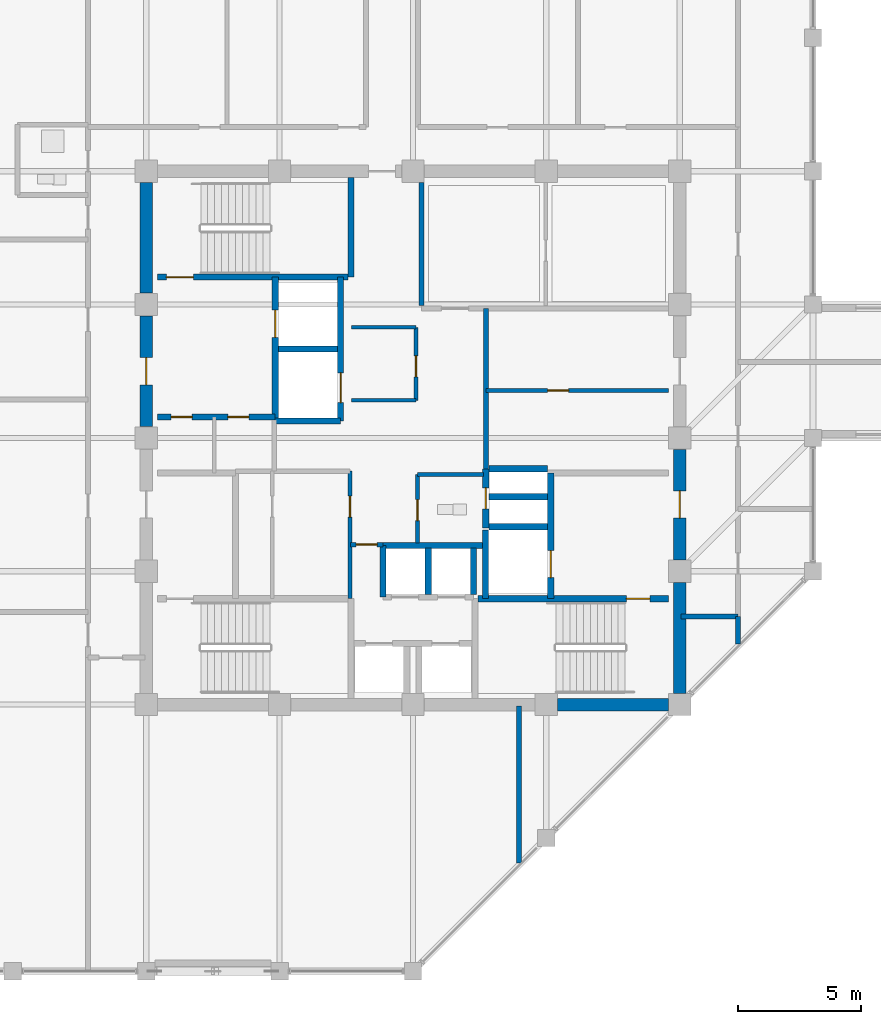
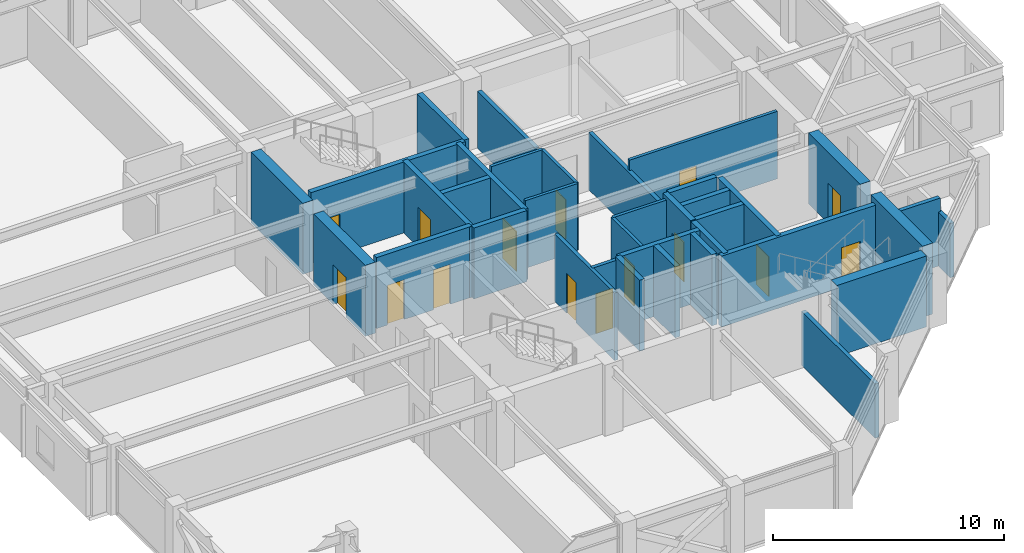
# One storey, part 25 of 30: 36 walls, 15 doors, 15 openings.
"""IFC4 building model written with IfcOpenShell, lengths in metres."""

import ifcopenshell
import ifcopenshell.guid

model = None  # the IFC model being written
_history = None  # IfcOwnerHistory: only IFC2X3 demands one
_inside = {}  # id of a spatial element -> (the spatial element, [elements in it])
_under = {}  # id of a project, library or spatial element -> (it, [spatial elements below it])
_declared = {}  # id of a project -> (the project, [libraries it declares])
_typed = {}  # id of a type object -> (the type object, [elements of that type])
_made_of = {}  # id of a material, layer set ... -> (it, [elements and type objects made of it])


def new_model(schema):
    """Start an empty IFC model of exactly this schema.

    Asked for "IFC4X3", IfcOpenShell would pick the latest addendum, in which some entities
    have other attributes; the version numbers below select the first issue.
    IFC2X3 requires an IfcOwnerHistory on every rooted entity: one is made here for all.
    """
    global model, _history
    if schema == "IFC4X3":
        model = ifcopenshell.file(schema_version=(4, 3, 0, 0))
    else:
        model = ifcopenshell.file(schema=schema)
    _inside.clear()
    _under.clear()
    _declared.clear()
    _typed.clear()
    _made_of.clear()
    _history = None
    if model.schema == "IFC2X3":
        org = make("IfcOrganization", Name="unknown")
        user = make(
            "IfcPersonAndOrganization",
            ThePerson=make("IfcPerson", FamilyName="unknown"),
            TheOrganization=org,
        )
        app = make(
            "IfcApplication",
            ApplicationDeveloper=org,
            Version="unknown",
            ApplicationFullName="unknown",
            ApplicationIdentifier="unknown",
        )
        _history = make(
            "IfcOwnerHistory",
            OwningUser=user,
            OwningApplication=app,
            ChangeAction="ADDED",
            CreationDate=0,
        )
    return model


def make(cls, **values):
    """One entity of the class cls with the attributes given. An attribute that is None is left unset."""
    return model.create_entity(
        cls, **{name: value for name, value in values.items() if value is not None}
    )


def rooted(cls, **values):
    """An entity with a GlobalId (a new one), such as an element, a storey or a relation."""
    return make(cls, GlobalId=ifcopenshell.guid.new(), OwnerHistory=_history, **values)


def si_unit(unit_type, name, prefix=None):
    """IfcSIUnit, for example si_unit("LENGTHUNIT", "METRE", prefix="MILLI")."""
    return make("IfcSIUnit", UnitType=unit_type, Prefix=prefix, Name=name)


def assignment(units):
    """IfcUnitAssignment: the units of a project."""
    return None if units is None else make("IfcUnitAssignment", Units=units)


def point(xyz):
    """IfcCartesianPoint."""
    return None if xyz is None else make("IfcCartesianPoint", Coordinates=xyz)


def direction(xyz):
    """IfcDirection."""
    return None if xyz is None else make("IfcDirection", DirectionRatios=xyz)


def frame(location, z_axis=None, x_axis=None):
    """IfcAxis2Placement3D, a coordinate frame: its origin and axes. An axis left out is left unset."""
    return make(
        "IfcAxis2Placement3D",
        Location=point(location),
        Axis=direction(z_axis),
        RefDirection=direction(x_axis),
    )


def frame_2d(location, x_axis=None):
    """IfcAxis2Placement2D, a coordinate frame in the plane: its origin and x axis."""
    return make(
        "IfcAxis2Placement2D", Location=point(location), RefDirection=direction(x_axis)
    )


def origin():
    """The frame at (0, 0, 0) with its axes left unset."""
    return frame((0.0, 0.0, 0.0))


def place(relative_to, where):
    """IfcLocalPlacement: puts the frame where relative to a parent placement (None: the world)."""
    return make(
        "IfcLocalPlacement", PlacementRelTo=relative_to, RelativePlacement=where
    )


def context(
    kind, dimensions, precision=None, world=None, true_north=None, identifier=None
):
    """IfcGeometricRepresentationContext, for example the 3D "Model" context."""
    return make(
        "IfcGeometricRepresentationContext",
        ContextIdentifier=identifier,
        ContextType=kind,
        CoordinateSpaceDimension=dimensions,
        Precision=precision,
        WorldCoordinateSystem=world,
        TrueNorth=true_north,
    )


def subcontext(parent, identifier, kind, view, scale=None):
    """IfcGeometricRepresentationSubContext, for example "Body" below "Model"."""
    return make(
        "IfcGeometricRepresentationSubContext",
        ContextIdentifier=identifier,
        ContextType=kind,
        ParentContext=parent,
        TargetScale=scale,
        TargetView=view,
    )


def project(units=None, contexts=None):
    """IfcProject with its units and contexts."""
    return rooted(
        "IfcProject",
        Name="project",
        RepresentationContexts=contexts,
        UnitsInContext=assignment(units),
    )


def spatial(cls, under=None, at=None, **own):
    """A site, building, storey or space (cls), placed at a placement, below another one or the project."""
    s = rooted(cls, ObjectPlacement=at, **own)
    if under is not None:
        _under.setdefault(under.id(), (under, []))[1].append(s)
    return s


def profile(cls, at=None, kind="AREA", **sizes):
    """A parametric profile (cls). Its sizes go by their IFC names, for example OverallWidth=200.0."""
    return make(cls, ProfileType=kind, Position=at, **sizes)


def rectangle(**sizes):
    """IfcRectangleProfileDef."""
    return profile("IfcRectangleProfileDef", **sizes)


def extrude(swept, where, along, depth):
    """IfcExtrudedAreaSolid: the profile swept, set in the frame where, extruded along a direction by depth."""
    return make(
        "IfcExtrudedAreaSolid",
        SweptArea=swept,
        Position=where,
        ExtrudedDirection=direction(along),
        Depth=depth,
    )


def shape(context_of_items, identifier, shape_type, items):
    """IfcShapeRepresentation: the items that make up one representation, for example the "Body"."""
    return make(
        "IfcShapeRepresentation",
        ContextOfItems=context_of_items,
        RepresentationIdentifier=identifier,
        RepresentationType=shape_type,
        Items=items,
    )


def material(Name=None, Category=None):
    """IfcMaterial."""
    return make("IfcMaterial", Name=Name, Category=Category)


def layer(
    of_material, thickness, ventilated=None, Name=None, Category=None, Priority=None
):
    """IfcMaterialLayer: one layer of a wall or slab, of a material (None: an air gap)."""
    return make(
        "IfcMaterialLayer",
        Material=of_material,
        LayerThickness=thickness,
        IsVentilated=ventilated,
        Name=Name,
        Category=Category,
        Priority=Priority,
    )


def layer_set(layers, Name=None):
    """IfcMaterialLayerSet."""
    return make("IfcMaterialLayerSet", MaterialLayers=layers, LayerSetName=Name)


def made_of(thing, what):
    """Note that an element or type object is made of a material, layer set ...; save() writes the relation."""
    if what is not None:
        _made_of.setdefault(what.id(), (what, []))[1].append(thing)
    return thing


def type_object(cls, material=None, **own):
    """A type object (cls), such as IfcWallType, which elements share."""
    return made_of(rooted(cls, **own), material)


def element(
    cls,
    number,
    at=None,
    inside=None,
    cuts=None,
    type_object=None,
    material=None,
    context=None,
    identifier="Body",
    shape_type=None,
    held_by="IfcProductDefinitionShape",
    body=None,
    shapes=None,
    **own,
):
    """One element of the class cls, such as IfcWall. Its Tag is "e" and its number.

    at: its placement. inside: the storey or other place that contains it. cuts: it is an
    opening in that element (IfcRelVoidsElement). A single representation is given by context,
    identifier, shape_type and body (its items); several are given by shapes. held_by: the class
    of the entity that holds the representations. save() writes the other relations.
    """
    e = rooted(cls, Tag="e%d" % number, ObjectPlacement=at, **own)
    if body is not None:
        shapes = [shape(context, identifier, shape_type, body)]
    if shapes is not None:
        e.Representation = make(held_by, Representations=shapes)
    if inside is not None:
        _inside.setdefault(inside.id(), (inside, []))[1].append(e)
    if cuts is not None:
        rooted(
            "IfcRelVoidsElement", RelatingBuildingElement=cuts, RelatedOpeningElement=e
        )
    if type_object is not None:
        _typed.setdefault(type_object.id(), (type_object, []))[1].append(e)
    return made_of(e, material)


def fill(opening, filler):
    """IfcRelFillsElement: the door or window that sits in an opening."""
    return rooted(
        "IfcRelFillsElement",
        RelatingOpeningElement=opening,
        RelatedBuildingElement=filler,
    )


def aggregate(whole, parts):
    """IfcRelAggregates: a whole, such as a stair, and the parts it consists of."""
    return rooted("IfcRelAggregates", RelatingObject=whole, RelatedObjects=parts)


def save(model, path):
    """Write the relations noted so far, then the file.

    IfcRelAggregates (storeys below a building ...), IfcRelContainedInSpatialStructure (elements
    in a storey), IfcRelDefinesByType, IfcRelAssociatesMaterial and IfcRelDeclares: one each for
    every whole, place, type object, material and project.
    """
    for whole, parts in _under.values():
        aggregate(whole, parts)
    for where, things in _inside.values():
        rooted(
            "IfcRelContainedInSpatialStructure",
            RelatedElements=things,
            RelatingStructure=where,
        )
    for kind, things in _typed.values():
        rooted("IfcRelDefinesByType", RelatedObjects=things, RelatingType=kind)
    for what, things in _made_of.values():
        rooted("IfcRelAssociatesMaterial", RelatedObjects=things, RelatingMaterial=what)
    for by, libraries in _declared.values():
        rooted("IfcRelDeclares", RelatingContext=by, RelatedDefinitions=libraries)
    model.write(path)


model = new_model("IFC4")

# Units and contexts
model_context = context("Model", 3, precision=1e-05, world=origin(), true_north=direction((0.0, 1.0)))
body_context = subcontext(model_context, "Body", "Model", "MODEL_VIEW")
ifc_project = project(units=[si_unit("LENGTHUNIT", "METRE"), si_unit("AREAUNIT", "SQUARE_METRE"), si_unit("VOLUMEUNIT", "CUBIC_METRE"), si_unit("PLANEANGLEUNIT", "RADIAN"), si_unit("MASSUNIT", "GRAM", prefix="KILO")], contexts=[model_context])

# Site, building, storey
site_placement = place(None, origin())
site = spatial("IfcSite", under=ifc_project, at=site_placement, CompositionType="ELEMENT")
building_placement = place(site_placement, origin())
building = spatial("IfcBuilding", under=site, at=building_placement, Name="Surkhivell Harbour Commons", CompositionType="ELEMENT")
storey_placement = place(building_placement, frame((0.0, 0.0, 303.75)))
storey = spatial("IfcBuildingStorey", under=building, at=storey_placement, Name="L79", CompositionType="ELEMENT", Elevation=303.75)

# Wall
ifc_material_1 = material(Name="Concrete C50/60", Category="concrete")
ifc_layer_1 = layer(ifc_material_1, 0.5)
ifc_layer_set_1 = layer_set([ifc_layer_1], Name="Concrete C50/60")
wall_type_1 = type_object("IfcWallType", Name="WAL-CORE-500", PredefinedType="SHEAR", material=ifc_layer_set_1)
wall_1_placement = place(storey_placement, frame((10.800048828125, -10.340087890625, 0.0), z_axis=(0.0, 0.0, 1.0), x_axis=(0.0, 1.0, 0.0)))
element("IfcWall", 1, at=wall_1_placement, inside=storey, type_object=wall_type_1, Name="L79 Core Shear Wall East 1", PredefinedType="SHEAR", context=body_context, shape_type="SweptSolid", body=[
    extrude(rectangle(XDim=4.47998046875, YDim=0.5, at=frame_2d((2.239990234375, 0.0))), origin(), (0.0, 0.0, 1.0), 3.75),
])

# Wall, opening, door
wall_2_placement = place(storey_placement, frame((10.800048828125, -4.93994140625, 0.0), z_axis=(0.0, 0.0, 1.0), x_axis=(0.0, 1.0, 0.0)))
wall_2 = element("IfcWall", 2, at=wall_2_placement, inside=storey, type_object=wall_type_1, Name="L79 Core Shear Wall East 2", PredefinedType="SHEAR", context=body_context, shape_type="SweptSolid", body=[
    extrude(rectangle(XDim=4.47998046875, YDim=0.5, at=frame_2d((2.239990234375, 0.0))), origin(), (0.0, 0.0, 1.0), 3.75),
])
opening_1_placement = place(wall_2_placement, frame((1.68994140625, 0.0, 0.0)))
opening_1 = element("IfcOpeningElement", 3, at=opening_1_placement, cuts=wall_2, Name="Opening ID-1", PredefinedType="OPENING", context=body_context, shape_type="SweptSolid", body=[
    extrude(rectangle(XDim=1.10009765625, YDim=2.10009765625, at=frame_2d((0.550048828125, 1.050048828125))), frame((0.0, 0.260009765625, 0.0), z_axis=(0.0, -1.0, 0.0), x_axis=(1.0, 0.0, 0.0)), (0.0, 0.0, 1.0), 0.52001953125),
])
ifc_material_2 = material(Name="Hardwood-veneered fire-rated door leaf", Category="wood")
door_type_1 = type_object("IfcDoorType", Name="DOR-FD120-1100", OperationType="NOTDEFINED", PredefinedType="DOOR", material=ifc_material_2)
door_1_placement = place(opening_1_placement, origin())
door_1 = element("IfcDoor", 4, at=door_1_placement, inside=storey, type_object=door_type_1, Name="L79 Firefighting Lobby 2 Corridor Door", OperationType="SINGLE_SWING_RIGHT", OverallHeight=2.10009765625, OverallWidth=1.10009765625, PredefinedType="DOOR", context=body_context, shape_type="SweptSolid", body=[
    extrude(rectangle(XDim=1.10009765625, YDim=2.10009765625, at=frame_2d((0.550048828125, 1.050048828125))), frame((0.0, 0.02490234375, 0.0), z_axis=(0.0, -1.0, 0.0), x_axis=(1.0, 0.0, 0.0)), (0.0, 0.0, 1.0), 0.050048828125),
])
fill(opening_1, door_1)

wall_3_placement = place(storey_placement, frame((-10.800048828125, 0.4599609375, 0.0), z_axis=(0.0, 0.0, 1.0), x_axis=(0.0, 1.0, 0.0)))
wall_3 = element("IfcWall", 5, at=wall_3_placement, inside=storey, type_object=wall_type_1, Name="L79 Core Shear Wall West 3", PredefinedType="SHEAR", context=body_context, shape_type="SweptSolid", body=[
    extrude(rectangle(XDim=4.47998046875, YDim=0.5, at=frame_2d((2.239990234375, 0.0))), origin(), (0.0, 0.0, 1.0), 3.75),
])
opening_2_placement = place(wall_3_placement, frame((1.68994140625, 0.0, 0.0)))
opening_2 = element("IfcOpeningElement", 6, at=opening_2_placement, cuts=wall_3, Name="Opening ID-1", PredefinedType="OPENING", context=body_context, shape_type="SweptSolid", body=[
    extrude(rectangle(XDim=1.10009765625, YDim=2.10009765625, at=frame_2d((0.550048828125, 1.050048828125))), frame((0.0, 0.260009765625, 0.0), z_axis=(0.0, -1.0, 0.0), x_axis=(1.0, 0.0, 0.0)), (0.0, 0.0, 1.0), 0.52001953125),
])
door_2_placement = place(opening_2_placement, origin())
door_2 = element("IfcDoor", 7, at=door_2_placement, inside=storey, type_object=door_type_1, Name="L79 Firefighting Lobby 1 Corridor Door", OperationType="SINGLE_SWING_LEFT", OverallHeight=2.10009765625, OverallWidth=1.10009765625, PredefinedType="DOOR", context=body_context, shape_type="SweptSolid", body=[
    extrude(rectangle(XDim=1.10009765625, YDim=2.10009765625, at=frame_2d((0.550048828125, 1.050048828125))), frame((0.0, 0.02490234375, 0.0), z_axis=(0.0, -1.0, 0.0), x_axis=(1.0, 0.0, 0.0)), (0.0, 0.0, 1.0), 0.050048828125),
])
fill(opening_2, door_2)

# Walls
for number, where, z_axis, x_axis, name in (
    (8, (5.860107421875, -10.800048828125, 0.0), (0.0, 0.0, 1.0), (1.0, 0.0, 0.0), "L79 Core Shear Wall South 4"),
    (9, (-10.800048828125, 5.860107421875, 0.0), (0.0, 0.0, 1.0), (0.0, 1.0, 0.0), "L79 Core Shear Wall West 4"),
):
    element("IfcWall", number, at=place(storey_placement, frame(where, z_axis=z_axis, x_axis=x_axis)), inside=storey, type_object=wall_type_1, Name=name, PredefinedType="SHEAR", context=body_context, shape_type="SweptSolid", body=[
        extrude(rectangle(XDim=4.47998046875, YDim=0.5, at=frame_2d((2.239990234375, 0.0))), origin(), (0.0, 0.0, 1.0), 3.75),
    ])
ifc_material_3 = material(Name="Twin-stud acoustic fireboard partition", Category="other")
ifc_layer_2 = layer(ifc_material_3, 0.14990234375)
ifc_layer_set_2 = layer_set([ifc_layer_2], Name="Twin-stud acoustic fireboard partition")
wall_type_2 = type_object("IfcWallType", Name="WAL-INT-150", PredefinedType="PARTITIONING", material=ifc_layer_set_2)
wall_4_placement = place(storey_placement, frame((0.179931640625, -1.47998046875, 0.0), z_axis=(0.0, 0.0, 1.0), x_axis=(1.0, 0.0, 0.0)))
element("IfcWall", 10, at=wall_4_placement, inside=storey, type_object=wall_type_2, Name="L79 Core Accessible WC North Wall", PredefinedType="PARTITIONING", context=body_context, shape_type="SweptSolid", body=[
    extrude(rectangle(XDim=2.670166015625, YDim=0.14990234375, at=frame_2d((1.3349609375, 0.0))), origin(), (0.0, 0.0, 1.0), 3.570068359375),
])

# Wall, opening, door
wall_5_placement = place(storey_placement, frame((0.179931640625, -4.25, 0.0), z_axis=(0.0, 0.0, 1.0), x_axis=(0.0, 1.0, 0.0)))
wall_5 = element("IfcWall", 11, at=wall_5_placement, inside=storey, type_object=wall_type_2, Name="L79 Core Accessible WC West Wall", PredefinedType="PARTITIONING", context=body_context, shape_type="SweptSolid", body=[
    extrude(rectangle(XDim=2.77001953125, YDim=0.14990234375, at=frame_2d((1.385009765625, 0.0))), origin(), (0.0, 0.0, 1.0), 3.570068359375),
])
opening_3_placement = place(wall_5_placement, frame((0.89990234375, 0.0, 0.0)))
opening_3 = element("IfcOpeningElement", 12, at=opening_3_placement, cuts=wall_5, Name="Opening ID-6", PredefinedType="OPENING", context=body_context, shape_type="SweptSolid", body=[
    extrude(rectangle(XDim=0.85009765625, YDim=2.10009765625, at=frame_2d((0.425048828125, 1.050048828125))), frame((0.0, 0.0849609375, 0.0), z_axis=(0.0, -1.0, 0.0), x_axis=(1.0, 0.0, 0.0)), (0.0, 0.0, 1.0), 0.169921875),
])
door_type_2 = type_object("IfcDoorType", Name="DOR-FD30-850", OperationType="NOTDEFINED", PredefinedType="DOOR", material=ifc_material_2)
door_3_placement = place(opening_3_placement, origin())
door_3 = element("IfcDoor", 13, at=door_3_placement, inside=storey, type_object=door_type_2, Name="L79 Floor Accessible WC Door", OperationType="SINGLE_SWING_LEFT", OverallHeight=2.10009765625, OverallWidth=0.85009765625, PredefinedType="DOOR", context=body_context, shape_type="SweptSolid", body=[
    extrude(rectangle(XDim=0.85009765625, YDim=2.10009765625, at=frame_2d((0.425048828125, 1.050048828125))), frame((0.0, 0.02490234375, 0.0), z_axis=(0.0, -1.0, 0.0), x_axis=(1.0, 0.0, 0.0)), (0.0, 0.0, 1.0), 0.050048828125),
])
fill(opening_3, door_3)

wall_6_placement = place(storey_placement, frame((2.949951171875, 1.919921875, 0.0), z_axis=(0.0, 0.0, 1.0), x_axis=(1.0, 0.0, 0.0)))
wall_6 = element("IfcWall", 14, at=wall_6_placement, inside=storey, type_object=wall_type_2, Name="L79 Media Divider", PredefinedType="PARTITIONING", context=body_context, shape_type="SweptSolid", body=[
    extrude(rectangle(XDim=7.39013671875, YDim=0.14990234375, at=frame_2d((3.695068359375, 0.0))), origin(), (0.0, 0.0, 1.0), 3.570068359375),
])
opening_4_placement = place(wall_6_placement, frame((2.5, 0.0, 0.0)))
opening_4 = element("IfcOpeningElement", 15, at=opening_4_placement, cuts=wall_6, Name="Opening ID-6", PredefinedType="OPENING", context=body_context, shape_type="SweptSolid", body=[
    extrude(rectangle(XDim=0.85009765625, YDim=2.10009765625, at=frame_2d((0.425048828125, 1.050048828125))), frame((0.0, 0.0849609375, 0.0), z_axis=(0.0, -1.0, 0.0), x_axis=(1.0, 0.0, 0.0)), (0.0, 0.0, 1.0), 0.169921875),
])
door_4_placement = place(opening_4_placement, origin())
door_4 = element("IfcDoor", 16, at=door_4_placement, inside=storey, type_object=door_type_2, Name="L79 Seminar Alcove Door", OperationType="SINGLE_SWING_RIGHT", OverallHeight=2.10009765625, OverallWidth=0.85009765625, PredefinedType="DOOR", context=body_context, shape_type="SweptSolid", body=[
    extrude(rectangle(XDim=0.85009765625, YDim=2.10009765625, at=frame_2d((0.425048828125, 1.050048828125))), frame((0.0, 0.02490234375, 0.0), z_axis=(0.0, -1.0, 0.0), x_axis=(1.0, 0.0, 0.0)), (0.0, 0.0, 1.0), 0.050048828125),
])
fill(opening_4, door_4)

wall_7_placement = place(storey_placement, frame((0.1201171875, 1.52001953125, 0.0), z_axis=(0.0, 0.0, 1.0), x_axis=(0.0, 1.0, 0.0)))
wall_7 = element("IfcWall", 17, at=wall_7_placement, inside=storey, type_object=wall_type_2, Name="L79 Central Reading East Wall", PredefinedType="PARTITIONING", context=body_context, shape_type="SweptSolid", body=[
    extrude(rectangle(XDim=2.9599609375, YDim=0.14990234375, at=frame_2d((1.47998046875, 0.0))), origin(), (0.0, 0.0, 1.0), 3.570068359375),
])
opening_5_placement = place(wall_7_placement, frame((0.949951171875, 0.0, 0.0)))
opening_5 = element("IfcOpeningElement", 18, at=opening_5_placement, cuts=wall_7, Name="Opening ID-6", PredefinedType="OPENING", context=body_context, shape_type="SweptSolid", body=[
    extrude(rectangle(XDim=0.85009765625, YDim=2.10009765625, at=frame_2d((0.425048828125, 1.050048828125))), frame((0.0, 0.0849609375, 0.0), z_axis=(0.0, -1.0, 0.0), x_axis=(1.0, 0.0, 0.0)), (0.0, 0.0, 1.0), 0.169921875),
])
door_5_placement = place(opening_5_placement, origin())
door_5 = element("IfcDoor", 19, at=door_5_placement, inside=storey, type_object=door_type_2, Name="L79 Central Core Reading Door", OperationType="SINGLE_SWING_RIGHT", OverallHeight=2.10009765625, OverallWidth=0.85009765625, PredefinedType="DOOR", context=body_context, shape_type="SweptSolid", body=[
    extrude(rectangle(XDim=0.85009765625, YDim=2.10009765625, at=frame_2d((0.425048828125, 1.050048828125))), frame((0.0, 0.02490234375, 0.0), z_axis=(0.0, -1.0, 0.0), x_axis=(1.0, 0.0, 0.0)), (0.0, 0.0, 1.0), 0.050048828125),
])
fill(opening_5, door_5)

# Walls
for number, where, z_axis, x_axis, name in (
    (20, (-2.47998046875, 4.47998046875, 0.0), (0.0, 0.0, 1.0), (1.0, 0.0, 0.0), "L79 Central Reading North Wall"),
    (21, (-2.47998046875, 1.52001953125, 0.0), (0.0, 0.0, 1.0), (1.0, 0.0, 0.0), "L79 Central Reading South Wall"),
):
    element("IfcWall", number, at=place(storey_placement, frame(where, z_axis=z_axis, x_axis=x_axis)), inside=storey, type_object=wall_type_2, Name=name, PredefinedType="PARTITIONING", context=body_context, shape_type="SweptSolid", body=[
        extrude(rectangle(XDim=2.60009765625, YDim=0.14990234375, at=frame_2d((1.300048828125, 0.0))), origin(), (0.0, 0.0, 1.0), 3.570068359375),
    ])

# Wall, opening, door
ifc_material_4 = material(Name="High-density acoustic blockwork fire partition", Category="masonry")
ifc_layer_3 = layer(ifc_material_4, 0.175048828125)
ifc_layer_set_3 = layer_set([ifc_layer_3], Name="High-density acoustic blockwork fire partition")
wall_type_3 = type_object("IfcWallType", Name="WAL-INT-175", PredefinedType="PARTITIONING", material=ifc_layer_set_3)
wall_8_placement = place(storey_placement, frame((-2.550048828125, -6.510009765625, 0.0), z_axis=(0.0, 0.0, 1.0), x_axis=(0.0, 1.0, 0.0)))
wall_8 = element("IfcWall", 22, at=wall_8_placement, inside=storey, type_object=wall_type_3, Name="L79 Core Service Bay East Wall", PredefinedType="PARTITIONING", context=body_context, shape_type="SweptSolid", body=[
    extrude(rectangle(XDim=5.159912109375, YDim=0.175048828125, at=frame_2d((2.580078125, 0.0))), origin(), (0.0, 0.0, 1.0), 3.570068359375),
])
opening_6_placement = place(wall_8_placement, frame((3.300048828125, 0.0, 0.0)))
opening_6 = element("IfcOpeningElement", 23, at=opening_6_placement, cuts=wall_8, Name="Opening ID-6", PredefinedType="OPENING", context=body_context, shape_type="SweptSolid", body=[
    extrude(rectangle(XDim=0.85009765625, YDim=2.10009765625, at=frame_2d((0.425048828125, 1.050048828125))), frame((0.0, 0.097412109375, 0.0), z_axis=(0.0, -1.0, 0.0), x_axis=(1.0, 0.0, 0.0)), (0.0, 0.0, 1.0), 0.195068359375),
])
door_6_placement = place(opening_6_placement, origin())
door_6 = element("IfcDoor", 24, at=door_6_placement, inside=storey, type_object=door_type_2, Name="L79 Core Music Door", OperationType="SINGLE_SWING_LEFT", OverallHeight=2.10009765625, OverallWidth=0.85009765625, PredefinedType="DOOR", context=body_context, shape_type="SweptSolid", body=[
    extrude(rectangle(XDim=0.85009765625, YDim=2.10009765625, at=frame_2d((0.425048828125, 1.050048828125))), frame((0.0, 0.02490234375, 0.0), z_axis=(0.0, -1.0, 0.0), x_axis=(1.0, 0.0, 0.0)), (0.0, 0.0, 1.0), 0.050048828125),
])
fill(opening_6, door_6)

wall_9_placement = place(storey_placement, frame((-2.52001953125, -4.320068359375, 0.0), z_axis=(0.0, 0.0, 1.0), x_axis=(1.0, 0.0, 0.0)))
wall_9 = element("IfcWall", 25, at=wall_9_placement, inside=storey, type_object=wall_type_3, Name="L79 High-Rise Lobby North Portal Wall", PredefinedType="PARTITIONING", context=body_context, shape_type="SweptSolid", body=[
    extrude(rectangle(XDim=1.300048828125, YDim=0.175048828125, at=frame_2d((0.64990234375, 0.0))), origin(), (0.0, 0.0, 1.0), 3.570068359375),
])
opening_7_placement = place(wall_9_placement, frame((0.219970703125, 0.0, 0.0)))
opening_7 = element("IfcOpeningElement", 26, at=opening_7_placement, cuts=wall_9, Name="Opening ID-6", PredefinedType="OPENING", context=body_context, shape_type="SweptSolid", body=[
    extrude(rectangle(XDim=0.85009765625, YDim=2.10009765625, at=frame_2d((0.425048828125, 1.050048828125))), frame((0.0, 0.097412109375, 0.0), z_axis=(0.0, -1.0, 0.0), x_axis=(1.0, 0.0, 0.0)), (0.0, 0.0, 1.0), 0.195068359375),
])
door_7_placement = place(opening_7_placement, origin())
door_7 = element("IfcDoor", 27, at=door_7_placement, inside=storey, type_object=door_type_2, Name="L79 High-Rise Lift Lobby North Door", OperationType="SINGLE_SWING_LEFT", OverallHeight=2.10009765625, OverallWidth=0.85009765625, PredefinedType="DOOR", context=body_context, shape_type="SweptSolid", body=[
    extrude(rectangle(XDim=0.85009765625, YDim=2.10009765625, at=frame_2d((0.425048828125, 1.050048828125))), frame((0.0, 0.02490234375, 0.0), z_axis=(0.0, -1.0, 0.0), x_axis=(1.0, 0.0, 0.0)), (0.0, 0.0, 1.0), 0.050048828125),
])
fill(opening_7, door_7)

# Walls
ifc_material_5 = material(Name="Autoclaved aerated concrete blockwork and fire plaster", Category="masonry")
ifc_layer_4 = layer(ifc_material_5, 0.199951171875)
ifc_layer_set_4 = layer_set([ifc_layer_4], Name="Autoclaved aerated concrete blockwork and fire plaster")
wall_type_4 = type_object("IfcWallType", Name="WAL-INT-200", PredefinedType="PARTITIONING", material=ifc_layer_set_4)
wall_10_placement = place(storey_placement, frame((0.35009765625, 5.360107421875, 0.0), z_axis=(0.0, 0.0, 1.0), x_axis=(0.0, 1.0, 0.0)))
element("IfcWall", 28, at=wall_10_placement, inside=storey, type_object=wall_type_4, Name="L79 Reclaimed Core North Bay West Wall", PredefinedType="PARTITIONING", context=body_context, shape_type="SweptSolid", body=[
    extrude(rectangle(XDim=4.97998046875, YDim=0.199951171875, at=frame_2d((2.489990234375, 0.0))), origin(), (0.0, 0.0, 1.0), 3.012939453125),
])
wall_11_placement = place(storey_placement, frame((13.159912109375, -8.355224609375, 0.0), z_axis=(0.0, 0.0, 1.0), x_axis=(0.0, 1.0, 0.0)))
element("IfcWall", 29, at=wall_11_placement, inside=storey, type_object=wall_type_4, Name="L79 East Wing South Closure Wall", PredefinedType="PARTITIONING", context=body_context, shape_type="SweptSolid", body=[
    extrude(rectangle(XDim=1.115234375, YDim=0.199951171875, at=frame_2d((0.5576171875, 0.0))), origin(), (0.0, 0.0, 1.0), 2.85693359375),
])
wall_12_placement = place(storey_placement, frame((10.85009765625, -7.239990234375, 0.0), z_axis=(0.0, 0.0, 1.0), x_axis=(1.0, 0.0, 0.0)))
element("IfcWall", 30, at=wall_12_placement, inside=storey, type_object=wall_type_4, Name="L79 East Corridor South Closure Wall", PredefinedType="PARTITIONING", context=body_context, shape_type="SweptSolid", body=[
    extrude(rectangle(XDim=2.309814453125, YDim=0.199951171875, at=frame_2d((1.15478515625, 0.0))), origin(), (0.0, 0.0, 1.0), 3.570068359375),
])
wall_13_placement = place(storey_placement, frame((4.300048828125, -17.215087890625, 0.0), z_axis=(0.0, 0.0, 1.0), x_axis=(0.0, 1.0, 0.0)))
element("IfcWall", 31, at=wall_13_placement, inside=storey, type_object=wall_type_4, Name="L79 South Hall East Wall", PredefinedType="PARTITIONING", context=body_context, shape_type="SweptSolid", body=[
    extrude(rectangle(XDim=6.364990234375, YDim=0.199951171875, at=frame_2d((3.1826171875, 0.0))), origin(), (0.0, 0.0, 1.0), 2.85693359375),
])
wall_14_placement = place(storey_placement, frame((2.949951171875, -1.25, 0.0), z_axis=(0.0, 0.0, 1.0), x_axis=(0.0, 1.0, 0.0)))
element("IfcWall", 32, at=wall_14_placement, inside=storey, type_object=wall_type_4, Name="L79 Reclaimed East Core West Wall", PredefinedType="PARTITIONING", context=body_context, shape_type="SweptSolid", body=[
    extrude(rectangle(XDim=6.489990234375, YDim=0.199951171875, at=frame_2d((3.2451171875, 0.0))), origin(), (0.0, 0.0, 1.0), 3.012939453125),
])

# Wall, opening, door
ifc_layer_5 = layer(ifc_material_1, 0.25)
ifc_layer_set_5 = layer_set([ifc_layer_5], Name="Concrete C50/60")
wall_type_5 = type_object("IfcWallType", Name="WAL-SHAFT-250", PredefinedType="SHEAR", material=ifc_layer_set_5)
wall_15_placement = place(storey_placement, frame((-5.580078125, 0.719970703125, 0.0), z_axis=(0.0, 0.0, 1.0), x_axis=(0.0, 1.0, 0.0)))
wall_15 = element("IfcWall", 33, at=wall_15_placement, inside=storey, type_object=wall_type_5, Name="L79 Firefighting Lobby 1 East Shaft Wall", PredefinedType="SHEAR", context=body_context, shape_type="SweptSolid", body=[
    extrude(rectangle(XDim=5.7900390625, YDim=0.25, at=frame_2d((2.89501953125, 0.0))), origin(), (0.0, 0.0, 1.0), 3.75),
])
opening_8_placement = place(wall_15_placement, frame((3.35009765625, 0.0, 0.0)))
opening_8 = element("IfcOpeningElement", 34, at=opening_8_placement, cuts=wall_15, Name="Opening LD-1", PredefinedType="OPENING", context=body_context, shape_type="SweptSolid", body=[
    extrude(rectangle(XDim=1.10009765625, YDim=2.10009765625, at=frame_2d((0.550048828125, 1.050048828125))), frame((0.0, 0.135009765625, 0.0), z_axis=(0.0, -1.0, 0.0), x_axis=(1.0, 0.0, 0.0)), (0.0, 0.0, 1.0), 0.27001953125),
])
ifc_material_6 = material(Name="Brushed stainless steel S355", Category="steel")
door_type_3 = type_object("IfcDoorType", Name="DOR-LD-1100", OperationType="SLIDING_TO_LEFT", PredefinedType="DOOR", material=ifc_material_6)
door_8_placement = place(opening_8_placement, origin())
door_8 = element("IfcDoor", 35, at=door_8_placement, inside=storey, type_object=door_type_3, Name="L79 Lift Landing Door LD-FFL1", OperationType="SLIDING_TO_LEFT", OverallHeight=2.10009765625, OverallWidth=1.10009765625, PredefinedType="DOOR", context=body_context, shape_type="SweptSolid", body=[
    extrude(rectangle(XDim=1.10009765625, YDim=2.10009765625, at=frame_2d((0.550048828125, 1.050048828125))), frame((0.0, 0.02490234375, 0.0), z_axis=(0.0, -1.0, 0.0), x_axis=(1.0, 0.0, 0.0)), (0.0, 0.0, 1.0), 0.050048828125),
])
fill(opening_8, door_8)

# Wall, openings, doors
wall_16_placement = place(storey_placement, frame((-10.340087890625, 0.85009765625, 0.0), z_axis=(0.0, 0.0, 1.0), x_axis=(1.0, 0.0, 0.0)))
wall_16 = element("IfcWall", 36, at=wall_16_placement, inside=storey, type_object=wall_type_5, Name="L79 Firefighting Lobby 1 South Wall", PredefinedType="SHEAR", context=body_context, shape_type="SweptSolid", body=[
    extrude(rectangle(XDim=4.760009765625, YDim=0.25, at=frame_2d((2.3798828125, 0.0))), origin(), (0.0, 0.0, 1.0), 3.75),
])
opening_9_placement = place(wall_16_placement, frame((0.550048828125, 0.0, 0.0)))
opening_9 = element("IfcOpeningElement", 37, at=opening_9_placement, cuts=wall_16, Name="Opening ID-6", PredefinedType="OPENING", context=body_context, shape_type="SweptSolid", body=[
    extrude(rectangle(XDim=0.85009765625, YDim=2.10009765625, at=frame_2d((0.425048828125, 1.050048828125))), frame((0.0, 0.135009765625, 0.0), z_axis=(0.0, -1.0, 0.0), x_axis=(1.0, 0.0, 0.0)), (0.0, 0.0, 1.0), 0.27001953125),
])
opening_10_placement = place(wall_16_placement, frame((2.85009765625, 0.0, 0.0)))
opening_10 = element("IfcOpeningElement", 38, at=opening_10_placement, cuts=wall_16, Name="Opening ID-6", PredefinedType="OPENING", context=body_context, shape_type="SweptSolid", body=[
    extrude(rectangle(XDim=0.85009765625, YDim=2.10009765625, at=frame_2d((0.425048828125, 1.050048828125))), frame((0.0, 0.135009765625, 0.0), z_axis=(0.0, -1.0, 0.0), x_axis=(1.0, 0.0, 0.0)), (0.0, 0.0, 1.0), 0.27001953125),
])
door_9_placement = place(opening_9_placement, origin())
door_9 = element("IfcDoor", 39, at=door_9_placement, inside=storey, type_object=door_type_2, Name="L79 West Seminar 1 Door", OperationType="SINGLE_SWING_LEFT", OverallHeight=2.10009765625, OverallWidth=0.85009765625, PredefinedType="DOOR", context=body_context, shape_type="SweptSolid", body=[
    extrude(rectangle(XDim=0.85009765625, YDim=2.10009765625, at=frame_2d((0.425048828125, 1.050048828125))), frame((0.0, 0.02490234375, 0.0), z_axis=(0.0, -1.0, 0.0), x_axis=(1.0, 0.0, 0.0)), (0.0, 0.0, 1.0), 0.050048828125),
])
fill(opening_9, door_9)
door_10_placement = place(opening_10_placement, origin())
door_10 = element("IfcDoor", 40, at=door_10_placement, inside=storey, type_object=door_type_2, Name="L79 West Seminar 2 Door", OperationType="SINGLE_SWING_RIGHT", OverallHeight=2.10009765625, OverallWidth=0.85009765625, PredefinedType="DOOR", context=body_context, shape_type="SweptSolid", body=[
    extrude(rectangle(XDim=0.85009765625, YDim=2.10009765625, at=frame_2d((0.425048828125, 1.050048828125))), frame((0.0, 0.02490234375, 0.0), z_axis=(0.0, -1.0, 0.0), x_axis=(1.0, 0.0, 0.0)), (0.0, 0.0, 1.0), 0.050048828125),
])
fill(opening_10, door_10)

# Walls
wall_17_placement = place(storey_placement, frame((2.929931640625, -6.510009765625, 0.0), z_axis=(0.0, 0.0, 1.0), x_axis=(0.0, 1.0, 0.0)))
element("IfcWall", 41, at=wall_17_placement, inside=storey, type_object=wall_type_5, Name="L79 FFL2 West Shaft Wall", PredefinedType="SHEAR", context=body_context, shape_type="SweptSolid", body=[
    extrude(rectangle(XDim=2.7900390625, YDim=0.25, at=frame_2d((1.39501953125, 0.0))), origin(), (0.0, 0.0, 1.0), 3.75),
])
wall_18_placement = place(storey_placement, frame((3.080078125, -3.60009765625, 0.0), z_axis=(0.0, 0.0, 1.0), x_axis=(1.0, 0.0, 0.0)))
element("IfcWall", 42, at=wall_18_placement, inside=storey, type_object=wall_type_5, Name="L79 FFL2 North Shaft Wall", PredefinedType="SHEAR", context=body_context, shape_type="SweptSolid", body=[
    extrude(rectangle(XDim=2.369873046875, YDim=0.25, at=frame_2d((1.18505859375, 0.0))), origin(), (0.0, 0.0, 1.0), 3.75),
])

# Wall, opening, door
wall_19_placement = place(storey_placement, frame((5.580078125, -6.510009765625, 0.0), z_axis=(0.0, 0.0, 1.0), x_axis=(0.0, 1.0, 0.0)))
wall_19 = element("IfcWall", 43, at=wall_19_placement, inside=storey, type_object=wall_type_5, Name="L79 Firefighting Lobby 2 West Shaft Wall", PredefinedType="SHEAR", context=body_context, shape_type="SweptSolid", body=[
    extrude(rectangle(XDim=5.090087890625, YDim=0.25, at=frame_2d((2.544921875, 0.0))), origin(), (0.0, 0.0, 1.0), 3.75),
])
opening_11_placement = place(wall_19_placement, frame((0.85009765625, 0.0, 0.0)))
opening_11 = element("IfcOpeningElement", 44, at=opening_11_placement, cuts=wall_19, Name="Opening LD-1", PredefinedType="OPENING", context=body_context, shape_type="SweptSolid", body=[
    extrude(rectangle(XDim=1.10009765625, YDim=2.10009765625, at=frame_2d((0.550048828125, 1.050048828125))), frame((0.0, 0.135009765625, 0.0), z_axis=(0.0, -1.0, 0.0), x_axis=(1.0, 0.0, 0.0)), (0.0, 0.0, 1.0), 0.27001953125),
])
door_11_placement = place(opening_11_placement, origin())
door_11 = element("IfcDoor", 45, at=door_11_placement, inside=storey, type_object=door_type_3, Name="L79 Lift Landing Door LD-FFL2", OperationType="SLIDING_TO_RIGHT", OverallHeight=2.10009765625, OverallWidth=1.10009765625, PredefinedType="DOOR", context=body_context, shape_type="SweptSolid", body=[
    extrude(rectangle(XDim=1.10009765625, YDim=2.10009765625, at=frame_2d((0.550048828125, 1.050048828125))), frame((0.0, 0.02490234375, 0.0), z_axis=(0.0, -1.0, 0.0), x_axis=(1.0, 0.0, 0.0)), (0.0, 0.0, 1.0), 0.050048828125),
])
fill(opening_11, door_11)

# Walls
for number, where, z_axis, x_axis, name in (
    (46, (0.6201171875, -6.340087890625, 0.0), (0.0, 0.0, 1.0), (0.0, 1.0, 0.0), "L79 High-Rise Side Wall N"),
    (47, (2.449951171875, -6.340087890625, 0.0), (0.0, 0.0, 1.0), (0.0, 1.0, 0.0), "L79 High-Rise Side Wall N"),
):
    element("IfcWall", number, at=place(storey_placement, frame(where, z_axis=z_axis, x_axis=x_axis)), inside=storey, type_object=wall_type_5, Name=name, PredefinedType="SHEAR", context=body_context, shape_type="SweptSolid", body=[
        extrude(rectangle(XDim=1.880126953125, YDim=0.25, at=frame_2d((0.93994140625, 0.0))), origin(), (0.0, 0.0, 1.0), 3.75),
    ])
wall_20_placement = place(storey_placement, frame((-1.219970703125, -6.43994140625, 0.0), z_axis=(0.0, 0.0, 1.0), x_axis=(0.0, 1.0, 0.0)))
element("IfcWall", 48, at=wall_20_placement, inside=storey, type_object=wall_type_5, Name="L79 High-Rise Passage East Shaft Wall", PredefinedType="SHEAR", context=body_context, shape_type="SweptSolid", body=[
    extrude(rectangle(XDim=2.079833984375, YDim=0.25, at=frame_2d((1.0400390625, 0.0))), origin(), (0.0, 0.0, 1.0), 3.75),
])
wall_21_placement = place(storey_placement, frame((-1.219970703125, -4.360107421875, 0.0), z_axis=(0.0, 0.0, 1.0), x_axis=(1.0, 0.0, 0.0)))
element("IfcWall", 49, at=wall_21_placement, inside=storey, type_object=wall_type_5, Name="L79 High-Rise North Back Shaft Wall", PredefinedType="SHEAR", context=body_context, shape_type="SweptSolid", body=[
    extrude(rectangle(XDim=4.030029296875, YDim=0.25, at=frame_2d((2.01513671875, 0.0))), origin(), (0.0, 0.0, 1.0), 3.75),
])
for number, where, z_axis, x_axis, name in (
    (50, (3.080078125, -2.3798828125, 0.0), (0.0, 0.0, 1.0), (1.0, 0.0, 0.0), "L79 Riser Divider Wall"),
    (51, (3.080078125, -1.25, 0.0), (0.0, 0.0, 1.0), (1.0, 0.0, 0.0), "L79 Riser North Wall"),
):
    element("IfcWall", number, at=place(storey_placement, frame(where, z_axis=z_axis, x_axis=x_axis)), inside=storey, type_object=wall_type_5, Name=name, PredefinedType="SHEAR", context=body_context, shape_type="SweptSolid", body=[
        extrude(rectangle(XDim=2.369873046875, YDim=0.25, at=frame_2d((1.18505859375, 0.0))), origin(), (0.0, 0.0, 1.0), 3.75),
    ])

# Wall, opening, door
wall_22_placement = place(storey_placement, frame((2.949951171875, -3.64990234375, 0.0), z_axis=(0.0, 0.0, 1.0), x_axis=(0.0, 1.0, 0.0)))
wall_22 = element("IfcWall", 52, at=wall_22_placement, inside=storey, type_object=wall_type_5, Name="L79 Riser Shaft West Wall", PredefinedType="SHEAR", context=body_context, shape_type="SweptSolid", body=[
    extrude(rectangle(XDim=2.39990234375, YDim=0.25, at=frame_2d((1.199951171875, 0.0))), origin(), (0.0, 0.0, 1.0), 3.75),
])
opening_12_placement = place(wall_22_placement, frame((0.77490234375, 0.0, 0.0)))
opening_12 = element("IfcOpeningElement", 53, at=opening_12_placement, cuts=wall_22, Name="Opening ID-6", PredefinedType="OPENING", context=body_context, shape_type="SweptSolid", body=[
    extrude(rectangle(XDim=0.85009765625, YDim=2.10009765625, at=frame_2d((0.425048828125, 1.050048828125))), frame((0.0, 0.135009765625, 0.0), z_axis=(0.0, -1.0, 0.0), x_axis=(1.0, 0.0, 0.0)), (0.0, 0.0, 1.0), 0.27001953125),
])
door_12_placement = place(opening_12_placement, origin())
door_12 = element("IfcDoor", 54, at=door_12_placement, inside=storey, type_object=door_type_2, Name="L79 Electrical Riser Access Door", OperationType="SINGLE_SWING_LEFT", OverallHeight=2.10009765625, OverallWidth=0.85009765625, PredefinedType="DOOR", context=body_context, shape_type="SweptSolid", body=[
    extrude(rectangle(XDim=0.85009765625, YDim=2.10009765625, at=frame_2d((0.425048828125, 1.050048828125))), frame((0.0, 0.02490234375, 0.0), z_axis=(0.0, -1.0, 0.0), x_axis=(1.0, 0.0, 0.0)), (0.0, 0.0, 1.0), 0.050048828125),
])
fill(opening_12, door_12)

# Wall
wall_23_placement = place(storey_placement, frame((-2.510009765625, 6.510009765625, 0.0), z_axis=(0.0, 0.0, 1.0), x_axis=(0.0, 1.0, 0.0)))
element("IfcWall", 55, at=wall_23_placement, inside=storey, type_object=wall_type_5, Name="L79 Stair ST1 East Shear Wall", PredefinedType="SHEAR", context=body_context, shape_type="SweptSolid", body=[
    extrude(rectangle(XDim=4.0400390625, YDim=0.25, at=frame_2d((2.02001953125, 0.0))), origin(), (0.0, 0.0, 1.0), 3.75),
])

# Wall, opening, door
wall_24_placement = place(storey_placement, frame((-10.340087890625, 6.510009765625, 0.0), z_axis=(0.0, 0.0, 1.0), x_axis=(1.0, 0.0, 0.0)))
wall_24 = element("IfcWall", 56, at=wall_24_placement, inside=storey, type_object=wall_type_5, Name="L79 Stair ST1 South Shear Wall", PredefinedType="SHEAR", context=body_context, shape_type="SweptSolid", body=[
    extrude(rectangle(XDim=7.7001953125, YDim=0.25, at=frame_2d((3.85009765625, 0.0))), origin(), (0.0, 0.0, 1.0), 3.75),
])
opening_13_placement = place(wall_24_placement, frame((0.35009765625, 0.0, 0.0)))
opening_13 = element("IfcOpeningElement", 57, at=opening_13_placement, cuts=wall_24, Name="Opening ID-2", PredefinedType="OPENING", context=body_context, shape_type="SweptSolid", body=[
    extrude(rectangle(XDim=1.10009765625, YDim=2.10009765625, at=frame_2d((0.550048828125, 1.050048828125))), frame((0.0, 0.135009765625, 0.0), z_axis=(0.0, -1.0, 0.0), x_axis=(1.0, 0.0, 0.0)), (0.0, 0.0, 1.0), 0.27001953125),
])
door_type_4 = type_object("IfcDoorType", Name="DOR-FD60-1100", OperationType="NOTDEFINED", PredefinedType="DOOR", material=ifc_material_2)
door_13_placement = place(opening_13_placement, origin())
door_13 = element("IfcDoor", 58, at=door_13_placement, inside=storey, type_object=door_type_4, Name="L79 Stair ST1 Exit Door", OperationType="SINGLE_SWING_LEFT", OverallHeight=2.10009765625, OverallWidth=1.10009765625, PredefinedType="DOOR", context=body_context, shape_type="SweptSolid", body=[
    extrude(rectangle(XDim=1.10009765625, YDim=2.10009765625, at=frame_2d((0.550048828125, 1.050048828125))), frame((0.0, 0.02490234375, 0.0), z_axis=(0.0, -1.0, 0.0), x_axis=(1.0, 0.0, 0.0)), (0.0, 0.0, 1.0), 0.050048828125),
])
fill(opening_13, door_13)

wall_25_placement = place(storey_placement, frame((2.639892578125, -6.510009765625, 0.0), z_axis=(0.0, 0.0, 1.0), x_axis=(1.0, 0.0, 0.0)))
wall_25 = element("IfcWall", 59, at=wall_25_placement, inside=storey, type_object=wall_type_5, Name="L79 Stair ST2 North Shear Wall", PredefinedType="SHEAR", context=body_context, shape_type="SweptSolid", body=[
    extrude(rectangle(XDim=7.7001953125, YDim=0.25, at=frame_2d((3.85009765625, 0.0))), origin(), (0.0, 0.0, 1.0), 3.75),
])
opening_14_placement = place(wall_25_placement, frame((6.0, 0.0, 0.0)))
opening_14 = element("IfcOpeningElement", 60, at=opening_14_placement, cuts=wall_25, Name="Opening ID-4", PredefinedType="OPENING", context=body_context, shape_type="SweptSolid", body=[
    extrude(rectangle(XDim=0.949951171875, YDim=2.10009765625, at=frame_2d((0.47509765625, 1.050048828125))), frame((0.0, 0.135009765625, 0.0), z_axis=(0.0, -1.0, 0.0), x_axis=(1.0, 0.0, 0.0)), (0.0, 0.0, 1.0), 0.27001953125),
])
door_type_5 = type_object("IfcDoorType", Name="DOR-FD60-950", OperationType="NOTDEFINED", PredefinedType="DOOR", material=ifc_material_2)
door_14_placement = place(opening_14_placement, origin())
door_14 = element("IfcDoor", 61, at=door_14_placement, inside=storey, type_object=door_type_5, Name="L79 Stair ST2 Exit Door", OperationType="SINGLE_SWING_RIGHT", OverallHeight=2.10009765625, OverallWidth=0.949951171875, PredefinedType="DOOR", context=body_context, shape_type="SweptSolid", body=[
    extrude(rectangle(XDim=0.949951171875, YDim=2.10009765625, at=frame_2d((0.47509765625, 1.050048828125))), frame((0.0, 0.02490234375, 0.0), z_axis=(0.0, -1.0, 0.0), x_axis=(1.0, 0.0, 0.0)), (0.0, 0.0, 1.0), 0.050048828125),
])
fill(opening_14, door_14)

wall_26_placement = place(storey_placement, frame((-2.929931640625, 0.679931640625, 0.0), z_axis=(0.0, 0.0, 1.0), x_axis=(0.0, 1.0, 0.0)))
wall_26 = element("IfcWall", 62, at=wall_26_placement, inside=storey, type_object=wall_type_5, Name="L79 Service and Fire Lift East Shaft Wall", PredefinedType="SHEAR", context=body_context, shape_type="SweptSolid", body=[
    extrude(rectangle(XDim=5.830078125, YDim=0.25, at=frame_2d((2.9150390625, 0.0))), origin(), (0.0, 0.0, 1.0), 3.75),
])
opening_15_placement = place(wall_26_placement, frame((0.75, 0.0, 0.0)))
opening_15 = element("IfcOpeningElement", 63, at=opening_15_placement, cuts=wall_26, Name="Opening LD-2", PredefinedType="OPENING", context=body_context, shape_type="SweptSolid", body=[
    extrude(rectangle(XDim=1.199951171875, YDim=2.10009765625, at=frame_2d((0.60009765625, 1.050048828125))), frame((0.0, 0.135009765625, 0.0), z_axis=(0.0, -1.0, 0.0), x_axis=(1.0, 0.0, 0.0)), (0.0, 0.0, 1.0), 0.27001953125),
])
door_type_6 = type_object("IfcDoorType", Name="DOR-LD-1200", OperationType="SLIDING_TO_LEFT", PredefinedType="DOOR", material=ifc_material_6)
door_15_placement = place(opening_15_placement, origin())
door_15 = element("IfcDoor", 64, at=door_15_placement, inside=storey, type_object=door_type_6, Name="L79 Lift Landing Door LD-SVL1", OperationType="SLIDING_TO_LEFT", OverallHeight=2.10009765625, OverallWidth=1.199951171875, PredefinedType="DOOR", context=body_context, shape_type="SweptSolid", body=[
    extrude(rectangle(XDim=1.199951171875, YDim=2.10009765625, at=frame_2d((0.60009765625, 1.050048828125))), frame((0.0, 0.02490234375, 0.0), z_axis=(0.0, -1.0, 0.0), x_axis=(1.0, 0.0, 0.0)), (0.0, 0.0, 1.0), 0.050048828125),
])
fill(opening_15, door_15)

# Walls
wall_27_placement = place(storey_placement, frame((-5.449951171875, 3.60009765625, 0.0), z_axis=(0.0, 0.0, 1.0), x_axis=(1.0, 0.0, 0.0)))
element("IfcWall", 65, at=wall_27_placement, inside=storey, type_object=wall_type_5, Name="L79 FFL1/SVL1 Shaft Divider", PredefinedType="SHEAR", context=body_context, shape_type="SweptSolid", body=[
    extrude(rectangle(XDim=2.389892578125, YDim=0.25, at=frame_2d((1.19482421875, 0.0))), origin(), (0.0, 0.0, 1.0), 3.75),
])
wall_28_placement = place(storey_placement, frame((-5.580078125, 0.679931640625, 0.0), z_axis=(0.0, 0.0, 1.0), x_axis=(1.0, 0.0, 0.0)))
element("IfcWall", 66, at=wall_28_placement, inside=storey, type_object=wall_type_5, Name="L79 SVL1 South Shaft Wall", PredefinedType="SHEAR", context=body_context, shape_type="SweptSolid", body=[
    extrude(rectangle(XDim=2.650146484375, YDim=0.25, at=frame_2d((1.3251953125, 0.0))), origin(), (0.0, 0.0, 1.0), 3.75),
])

save(model, "model.ifc")
